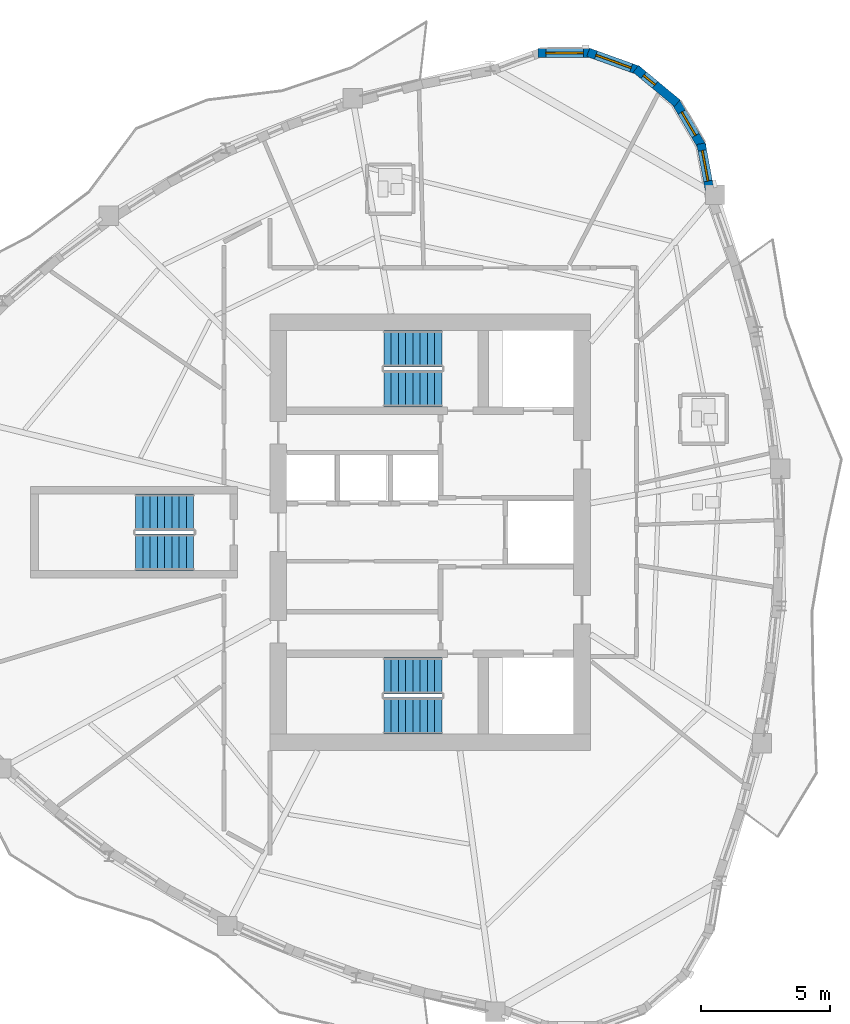
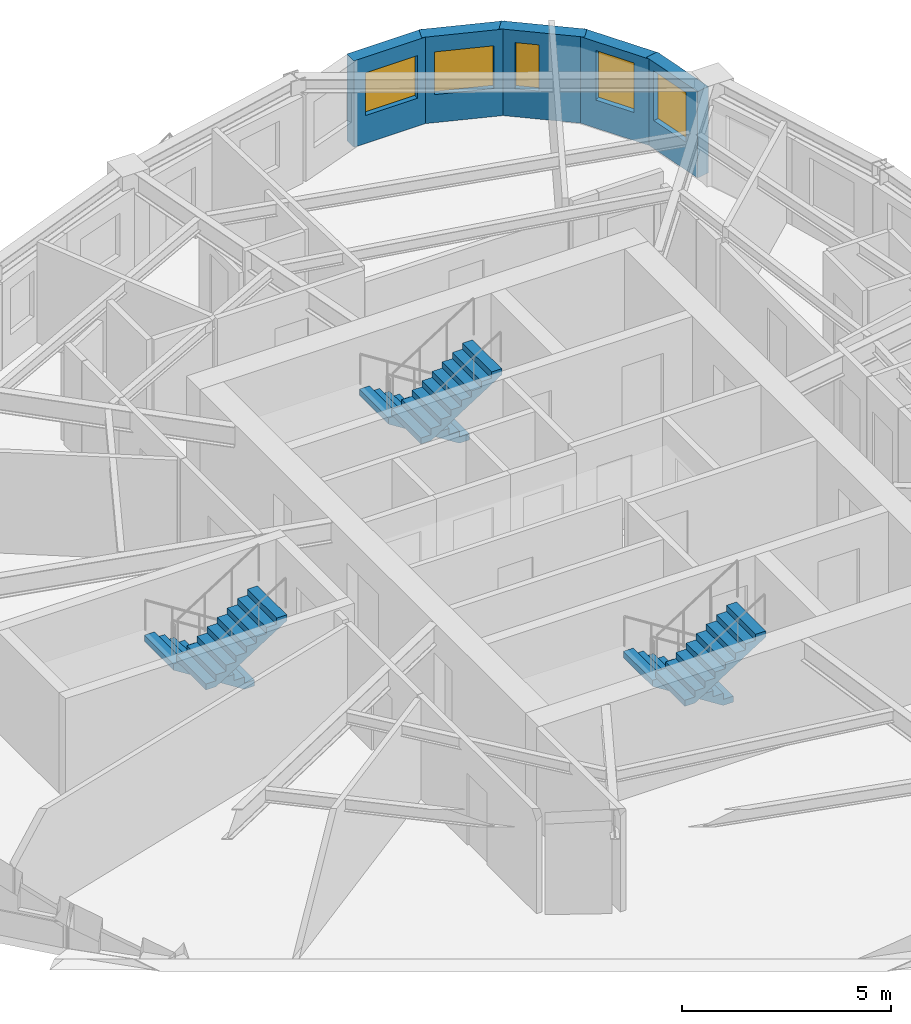
# One storey, part 9 of 13: 6 stair flights, 5 walls, 5 windows, 5 openings, 3 elements without a shape of their own.
"""IFC4 building model written with IfcOpenShell, lengths in metres."""

from ifc_helpers import new_model, si_unit, direction, frame, frame_2d, origin, place, context, subcontext, project, spatial, polyline, rectangle, outline, extrude, source, transform, mapped, material, layer, layer_set, type_object, element, fill, aggregate, save


model = new_model("IFC4")

# Units and contexts
model_context = context("Model", 3, precision=1e-05, world=origin(), true_north=direction((0.0, 1.0)))
body_context = subcontext(model_context, "Body", "Model", "MODEL_VIEW")
ifc_project = project(units=[si_unit("LENGTHUNIT", "METRE"), si_unit("AREAUNIT", "SQUARE_METRE"), si_unit("VOLUMEUNIT", "CUBIC_METRE"), si_unit("PLANEANGLEUNIT", "RADIAN"), si_unit("MASSUNIT", "GRAM", prefix="KILO")], contexts=[model_context])

# Site, building, storey
site_placement = place(None, origin())
site = spatial("IfcSite", under=ifc_project, at=site_placement, CompositionType="ELEMENT")
building_placement = place(site_placement, origin())
building = spatial("IfcBuilding", under=site, at=building_placement, Name="Qafzar Sky-Pleat Residences", CompositionType="ELEMENT")
storey_placement = place(building_placement, frame((0.0, 0.0, 136.199951171875)))
storey = spatial("IfcBuildingStorey", under=building, at=storey_placement, Name="L40", CompositionType="ELEMENT", Elevation=136.199951171875)

# Wall, opening, window
ifc_material_1 = material(Name="Precast concrete C40/50 with honed Riyadh limestone", Category="concrete")
ifc_layer = layer(ifc_material_1, 0.340087890625)
ifc_layer_set = layer_set([ifc_layer], Name="Precast concrete C40/50 with honed Riyadh limestone")
wall_type = type_object("IfcWallType", Name="WALL-EXT-340", PredefinedType="SOLIDWALL", material=ifc_layer_set)
wall_1_placement = place(storey_placement, frame((41.170166015625, 39.1708984375, 0.0), z_axis=(0.0, 0.0, 1.0), x_axis=(-0.182297593262, 0.983243401956, 0.0)))
wall_1 = element("IfcWall", 1, at=wall_1_placement, inside=storey, type_object=wall_type, Name="L40 Limestone Facade Wall 33", PredefinedType="SOLIDWALL", context=body_context, shape_type="SweptSolid", body=[
    extrude(rectangle(XDim=1.888427734375, YDim=0.340087890625, at=frame_2d((0.9443359375, 0.0))), origin(), (0.0, 0.0, 1.0), 2.530029296875),
])
opening_1_placement = place(wall_1_placement, frame((0.419189453125, 0.0, 0.820068359375)))
opening_1 = element("IfcOpeningElement", 2, at=opening_1_placement, cuts=wall_1, Name="Opening WN-05", PredefinedType="OPENING", context=body_context, shape_type="SweptSolid", body=[
    extrude(rectangle(XDim=1.199951171875, YDim=1.449951171875, at=frame_2d((0.60009765625, 0.72509765625))), frame((0.0, 0.18017578125, 0.0), z_axis=(0.0, -1.0, 0.0), x_axis=(1.0, 0.0, 0.0)), (0.0, 0.0, 1.0), 0.360107421875),
])
ifc_material_2 = material(Name="Solar-control low-E glass in bronze aluminium frame", Category="glass")
window_type_1 = type_object("IfcWindowType", Name="WIN-05", PartitioningType="SINGLE_PANEL", PredefinedType="WINDOW", material=ifc_material_2)
shared_shape_1 = source(origin(), body_context, "Body", "SweptSolid", [
    extrude(rectangle(XDim=1.199951171875, YDim=1.449951171875, at=frame_2d((0.60009765625, 0.72509765625))), frame((0.0, 0.030029296875, 0.0), z_axis=(0.0, -1.0, 0.0), x_axis=(1.0, 0.0, 0.0)), (0.0, 0.0, 1.0), 0.06005859375),
])
window_1_placement = place(opening_1_placement, origin())
window_1 = element("IfcWindow", 3, at=window_1_placement, inside=storey, type_object=window_type_1, Name="L40 Punched Facade Window 33", OverallHeight=1.449951171875, OverallWidth=1.199951171875, PartitioningType="SINGLE_PANEL", PredefinedType="WINDOW", context=body_context, shape_type="MappedRepresentation", body=[
    mapped(shared_shape_1, transform((0.0, 0.0, 0.0), x_axis=(1.0, 0.0, 0.0), y_axis=(0.0, 1.0, 0.0), z_axis=(0.0, 0.0, 1.0), scale=1.0)),
])
fill(opening_1, window_1)

wall_2_placement = place(storey_placement, frame((40.87255859375, 40.90234375, 0.0), z_axis=(0.0, 0.0, 1.0), x_axis=(-0.506225227923, 0.862401309493, 0.0)))
wall_2 = element("IfcWall", 4, at=wall_2_placement, inside=storey, type_object=wall_type, Name="L40 Limestone Facade Wall 34", PredefinedType="SOLIDWALL", context=body_context, shape_type="SweptSolid", body=[
    extrude(rectangle(XDim=2.0810546875, YDim=0.340087890625, at=frame_2d((1.04052734375, 0.0))), origin(), (0.0, 0.0, 1.0), 2.530029296875),
])
opening_2_placement = place(wall_2_placement, frame((0.515625, 0.0, 0.820068359375)))
opening_2 = element("IfcOpeningElement", 5, at=opening_2_placement, cuts=wall_2, Name="Opening WN-06", PredefinedType="OPENING", context=body_context, shape_type="SweptSolid", body=[
    extrude(rectangle(XDim=1.050048828125, YDim=1.449951171875, at=frame_2d((0.52490234375, 0.72509765625))), frame((0.0, 0.18017578125, 0.0), z_axis=(0.0, -1.0, 0.0), x_axis=(1.0, 0.0, 0.0)), (0.0, 0.0, 1.0), 0.360107421875),
])
window_type_2 = type_object("IfcWindowType", Name="WIN-06", PartitioningType="SINGLE_PANEL", PredefinedType="WINDOW", material=ifc_material_2)
shared_shape_2 = source(origin(), body_context, "Body", "SweptSolid", [
    extrude(rectangle(XDim=1.050048828125, YDim=1.449951171875, at=frame_2d((0.52490234375, 0.72509765625))), frame((0.0, 0.030029296875, 0.0), z_axis=(0.0, -1.0, 0.0), x_axis=(1.0, 0.0, 0.0)), (0.0, 0.0, 1.0), 0.06005859375),
])
window_2_placement = place(opening_2_placement, origin())
window_2 = element("IfcWindow", 6, at=window_2_placement, inside=storey, type_object=window_type_2, Name="L40 Punched Facade Window 34", OverallHeight=1.449951171875, OverallWidth=1.050048828125, PartitioningType="SINGLE_PANEL", PredefinedType="WINDOW", context=body_context, shape_type="MappedRepresentation", body=[
    mapped(shared_shape_2, transform((0.0, 0.0, 0.0), x_axis=(1.0, 0.0, 0.0), y_axis=(0.0, 1.0, 0.0), z_axis=(0.0, 0.0, 1.0), scale=1.0)),
])
fill(opening_2, window_2)

wall_3_placement = place(storey_placement, frame((39.905517578125, 42.59521484375, 0.0), z_axis=(0.0, 0.0, 1.0), x_axis=(-0.769584999316, 0.638544382817, 0.0)))
wall_3 = element("IfcWall", 7, at=wall_3_placement, inside=storey, type_object=wall_type, Name="L40 Limestone Facade Wall 35", PredefinedType="SOLIDWALL", context=body_context, shape_type="SweptSolid", body=[
    extrude(rectangle(XDim=2.0810546875, YDim=0.340087890625, at=frame_2d((1.04052734375, 0.0))), origin(), (0.0, 0.0, 1.0), 2.530029296875),
])
opening_3_placement = place(wall_3_placement, frame((1.11376953125, 0.0, 0.820068359375)))
opening_3 = element("IfcOpeningElement", 8, at=opening_3_placement, cuts=wall_3, Name="Opening WN-17", PredefinedType="OPENING", context=body_context, shape_type="SweptSolid", body=[
    extrude(rectangle(XDim=0.580078125, YDim=1.35009765625, at=frame_2d((0.2900390625, 0.675048828125))), frame((0.0, 0.18017578125, 0.0), z_axis=(0.0, -1.0, 0.0), x_axis=(1.0, 0.0, 0.0)), (0.0, 0.0, 1.0), 0.360107421875),
])
window_type_3 = type_object("IfcWindowType", Name="WIN-17", PartitioningType="SINGLE_PANEL", PredefinedType="WINDOW", material=ifc_material_2)
shared_shape_3 = source(origin(), body_context, "Body", "SweptSolid", [
    extrude(rectangle(XDim=0.580078125, YDim=1.35009765625, at=frame_2d((0.2900390625, 0.675048828125))), frame((0.0, 0.030029296875, 0.0), z_axis=(0.0, -1.0, 0.0), x_axis=(1.0, 0.0, 0.0)), (0.0, 0.0, 1.0), 0.06005859375),
])
window_3_placement = place(opening_3_placement, origin())
window_3 = element("IfcWindow", 9, at=window_3_placement, inside=storey, type_object=window_type_3, Name="L40 Punched Facade Window 35-2", OverallHeight=1.35009765625, OverallWidth=0.580078125, PartitioningType="SINGLE_PANEL", PredefinedType="WINDOW", context=body_context, shape_type="MappedRepresentation", body=[
    mapped(shared_shape_3, transform((0.0, 0.0, 0.0), x_axis=(1.0, 0.0, 0.0), y_axis=(0.0, 1.0, 0.0), z_axis=(0.0, 0.0, 1.0), scale=1.0)),
])
fill(opening_3, window_3)

wall_4_placement = place(storey_placement, frame((38.419921875, 43.85791015625, 0.0), z_axis=(0.0, 0.0, 1.0), x_axis=(-0.941071215914, 0.338208466153, 0.0)))
wall_4 = element("IfcWall", 10, at=wall_4_placement, inside=storey, type_object=wall_type, Name="L40 Limestone Facade Wall 36", PredefinedType="SOLIDWALL", context=body_context, shape_type="SweptSolid", body=[
    extrude(rectangle(XDim=2.0810546875, YDim=0.340087890625, at=frame_2d((1.04052734375, 0.0))), origin(), (0.0, 0.0, 1.0), 2.530029296875),
])
opening_4_placement = place(wall_4_placement, frame((0.315673828125, 0.0, 0.820068359375)))
opening_4 = element("IfcOpeningElement", 11, at=opening_4_placement, cuts=wall_4, Name="Opening WN-15", PredefinedType="OPENING", context=body_context, shape_type="SweptSolid", body=[
    extrude(rectangle(XDim=1.449951171875, YDim=1.25, at=frame_2d((0.72509765625, 0.625))), frame((0.0, 0.18017578125, 0.0), z_axis=(0.0, -1.0, 0.0), x_axis=(1.0, 0.0, 0.0)), (0.0, 0.0, 1.0), 0.360107421875),
])
window_type_4 = type_object("IfcWindowType", Name="WIN-15", PartitioningType="SINGLE_PANEL", PredefinedType="WINDOW", material=ifc_material_2)
shared_shape_4 = source(origin(), body_context, "Body", "SweptSolid", [
    extrude(rectangle(XDim=1.449951171875, YDim=1.25, at=frame_2d((0.72509765625, 0.625))), frame((0.0, 0.030029296875, 0.0), z_axis=(0.0, -1.0, 0.0), x_axis=(1.0, 0.0, 0.0)), (0.0, 0.0, 1.0), 0.06005859375),
])
window_4_placement = place(opening_4_placement, origin())
window_4 = element("IfcWindow", 12, at=window_4_placement, inside=storey, type_object=window_type_4, Name="L40 Punched Facade Window 36", OverallHeight=1.25, OverallWidth=1.449951171875, PartitioningType="SINGLE_PANEL", PredefinedType="WINDOW", context=body_context, shape_type="MappedRepresentation", body=[
    mapped(shared_shape_4, transform((0.0, 0.0, 0.0), x_axis=(1.0, 0.0, 0.0), y_axis=(0.0, 1.0, 0.0), z_axis=(0.0, 0.0, 1.0), scale=1.0)),
])
fill(opening_4, window_4)

wall_5_placement = place(storey_placement, frame((36.593017578125, 44.5390625, 0.0), z_axis=(0.0, 0.0, 1.0), x_axis=(-0.999996965272, -0.002463624621, 0.0)))
wall_5 = element("IfcWall", 13, at=wall_5_placement, inside=storey, type_object=wall_type, Name="L40 Limestone Facade Wall 37", PredefinedType="SOLIDWALL", context=body_context, shape_type="SweptSolid", body=[
    extrude(rectangle(XDim=2.0810546875, YDim=0.340087890625, at=frame_2d((1.04052734375, 0.0))), origin(), (0.0, 0.0, 1.0), 2.530029296875),
])
opening_5_placement = place(wall_5_placement, frame((0.315673828125, 0.0, 0.820068359375)))
opening_5 = element("IfcOpeningElement", 14, at=opening_5_placement, cuts=wall_5, Name="Opening WN-15", PredefinedType="OPENING", context=body_context, shape_type="SweptSolid", body=[
    extrude(rectangle(XDim=1.449951171875, YDim=1.25, at=frame_2d((0.72509765625, 0.625))), frame((0.0, 0.18017578125, 0.0), z_axis=(0.0, -1.0, 0.0), x_axis=(1.0, 0.0, 0.0)), (0.0, 0.0, 1.0), 0.360107421875),
])
window_5_placement = place(opening_5_placement, origin())
window_5 = element("IfcWindow", 15, at=window_5_placement, inside=storey, type_object=window_type_4, Name="L40 Punched Facade Window 37", OverallHeight=1.25, OverallWidth=1.449951171875, PartitioningType="SINGLE_PANEL", PredefinedType="WINDOW", context=body_context, shape_type="MappedRepresentation", body=[
    mapped(shared_shape_4, transform((0.0, 0.0, 0.0), x_axis=(1.0, 0.0, 0.0), y_axis=(0.0, 1.0, 0.0), z_axis=(0.0, 0.0, 1.0), scale=1.0)),
])
fill(opening_5, window_5)

# Stair, stair flights
ifc_material_3 = material(Name="Concrete C40/50", Category="concrete")
stair_type = type_object("IfcStairType", Name="STAIR-H320", PredefinedType="HALF_TURN_STAIR", material=ifc_material_3)
stair_1_placement = place(storey_placement, origin())
stair_1 = element("IfcStair", 16, at=stair_1_placement, inside=storey, type_object=stair_type, Name="L40 Protected Exit Stair ST1", PredefinedType="HALF_TURN_STAIR")
stair_flight_type = type_object("IfcStairFlightType", Name="FLIGHT-H320", PredefinedType="STRAIGHT", material=ifc_material_3)
shared_shape_5 = source(origin(), body_context, "Body", "SweptSolid", [
    extrude(outline(polyline([(0.0, 0.0), (0.0, 0.177734375), (0.280029296875, 0.177734375), (0.280029296875, 0.35546875), (0.56005859375, 0.35546875), (0.56005859375, 0.533447265625), (0.840087890625, 0.533447265625), (0.840087890625, 0.711181640625), (1.1201171875, 0.711181640625), (1.1201171875, 0.888916015625), (1.39990234375, 0.888916015625), (1.39990234375, 1.066650390625), (1.679931640625, 1.066650390625), (1.679931640625, 1.244384765625), (1.9599609375, 1.244384765625), (1.9599609375, 1.422119140625), (2.239990234375, 1.422119140625), (2.239990234375, 1.60009765625), (2.239990234375, 1.24462890625), (0.27978515625, 0.0), (0.0, 0.0)])), frame((0.0, 0.699951171875, 0.0), z_axis=(0.0, -1.0, 0.0), x_axis=(1.0, 0.0, 0.0)), (0.0, 0.0, 1.0), 1.39990234375),
])
stair_flight_1_placement = place(storey_placement, frame((30.800048828125, 20.449951171875, 0.0), z_axis=(0.0, 0.0, 1.0), x_axis=(-1.0, 0.0, 0.0)))
stair_flight_1 = element("IfcStairFlight", 17, at=stair_flight_1_placement, type_object=stair_flight_type, Name="ST1 flight 1", NumberOfRisers=9, NumberOfTreads=8, PredefinedType="STRAIGHT", RiserHeight=0.177777778, TreadLength=0.28, context=body_context, shape_type="MappedRepresentation", body=[
    mapped(shared_shape_5, transform((0.0, 0.0, 0.0), x_axis=(1.0, 0.0, 0.0), y_axis=(0.0, 1.0, 0.0), z_axis=(0.0, 0.0, 1.0), scale=1.0)),
])
stair_flight_2_placement = place(storey_placement, frame((28.56005859375, 18.89990234375, 1.60009765625), z_axis=(0.0, 0.0, 1.0), x_axis=(1.0, 0.0, 0.0)))
stair_flight_2 = element("IfcStairFlight", 18, at=stair_flight_2_placement, type_object=stair_flight_type, Name="ST1 flight 2", NumberOfRisers=9, NumberOfTreads=8, PredefinedType="STRAIGHT", RiserHeight=0.177777778, TreadLength=0.28, context=body_context, shape_type="MappedRepresentation", body=[
    mapped(shared_shape_5, transform((0.0, 0.0, 0.0), x_axis=(1.0, 0.0, 0.0), y_axis=(0.0, 1.0, 0.0), z_axis=(0.0, 0.0, 1.0), scale=1.0)),
])
aggregate(stair_1, [stair_flight_1, stair_flight_2])

stair_2_placement = place(storey_placement, origin())
stair_2 = element("IfcStair", 19, at=stair_2_placement, inside=storey, type_object=stair_type, Name="L40 Protected Exit Stair ST2", PredefinedType="HALF_TURN_STAIR")
stair_flight_3_placement = place(storey_placement, frame((30.800048828125, 33.10009765625, 0.0), z_axis=(0.0, 0.0, 1.0), x_axis=(-1.0, 0.0, 0.0)))
stair_flight_3 = element("IfcStairFlight", 20, at=stair_flight_3_placement, type_object=stair_flight_type, Name="ST2 flight 1", NumberOfRisers=9, NumberOfTreads=8, PredefinedType="STRAIGHT", RiserHeight=0.177777778, TreadLength=0.28, context=body_context, shape_type="MappedRepresentation", body=[
    mapped(shared_shape_5, transform((0.0, 0.0, 0.0), x_axis=(1.0, 0.0, 0.0), y_axis=(0.0, 1.0, 0.0), z_axis=(0.0, 0.0, 1.0), scale=1.0)),
])
stair_flight_4_placement = place(storey_placement, frame((28.56005859375, 31.550048828125, 1.60009765625), z_axis=(0.0, 0.0, 1.0), x_axis=(1.0, 0.0, 0.0)))
stair_flight_4 = element("IfcStairFlight", 21, at=stair_flight_4_placement, type_object=stair_flight_type, Name="ST2 flight 2", NumberOfRisers=9, NumberOfTreads=8, PredefinedType="STRAIGHT", RiserHeight=0.177777778, TreadLength=0.28, context=body_context, shape_type="MappedRepresentation", body=[
    mapped(shared_shape_5, transform((0.0, 0.0, 0.0), x_axis=(1.0, 0.0, 0.0), y_axis=(0.0, 1.0, 0.0), z_axis=(0.0, 0.0, 1.0), scale=1.0)),
])
aggregate(stair_2, [stair_flight_3, stair_flight_4])

stair_3_placement = place(storey_placement, origin())
stair_3 = element("IfcStair", 22, at=stair_3_placement, inside=storey, type_object=stair_type, Name="L40 Protected Exit Stair ST3", PredefinedType="HALF_TURN_STAIR")
stair_flight_5_placement = place(storey_placement, frame((21.199951171875, 26.77490234375, 0.0), z_axis=(0.0, 0.0, 1.0), x_axis=(-1.0, 0.0, 0.0)))
stair_flight_5 = element("IfcStairFlight", 23, at=stair_flight_5_placement, type_object=stair_flight_type, Name="ST3 flight 1", NumberOfRisers=9, NumberOfTreads=8, PredefinedType="STRAIGHT", RiserHeight=0.177777778, TreadLength=0.28, context=body_context, shape_type="MappedRepresentation", body=[
    mapped(shared_shape_5, transform((0.0, 0.0, 0.0), x_axis=(1.0, 0.0, 0.0), y_axis=(0.0, 1.0, 0.0), z_axis=(0.0, 0.0, 1.0), scale=1.0)),
])
stair_flight_6_placement = place(storey_placement, frame((18.9599609375, 25.22509765625, 1.60009765625), z_axis=(0.0, 0.0, 1.0), x_axis=(1.0, 0.0, 0.0)))
stair_flight_6 = element("IfcStairFlight", 24, at=stair_flight_6_placement, type_object=stair_flight_type, Name="ST3 flight 2", NumberOfRisers=9, NumberOfTreads=8, PredefinedType="STRAIGHT", RiserHeight=0.177777778, TreadLength=0.28, context=body_context, shape_type="MappedRepresentation", body=[
    mapped(shared_shape_5, transform((0.0, 0.0, 0.0), x_axis=(1.0, 0.0, 0.0), y_axis=(0.0, 1.0, 0.0), z_axis=(0.0, 0.0, 1.0), scale=1.0)),
])
aggregate(stair_3, [stair_flight_5, stair_flight_6])

save(model, "model.ifc")
